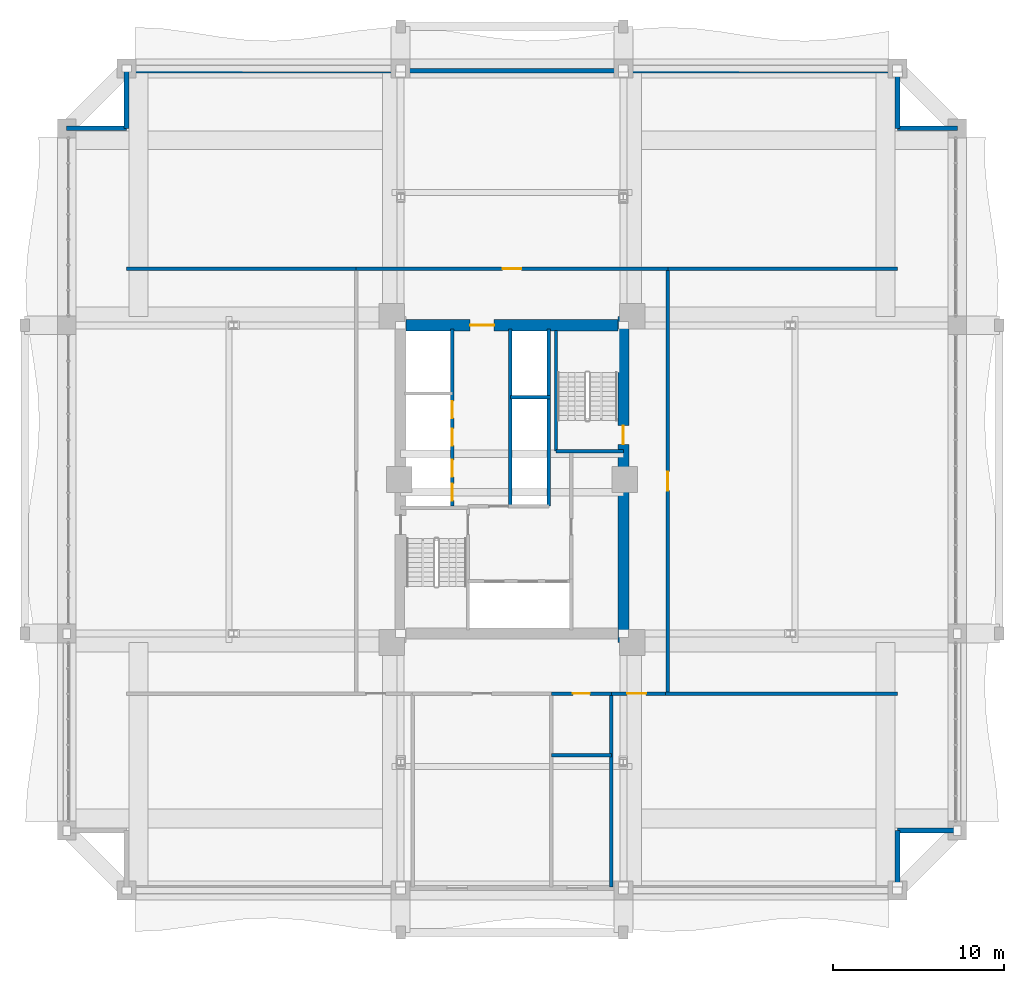
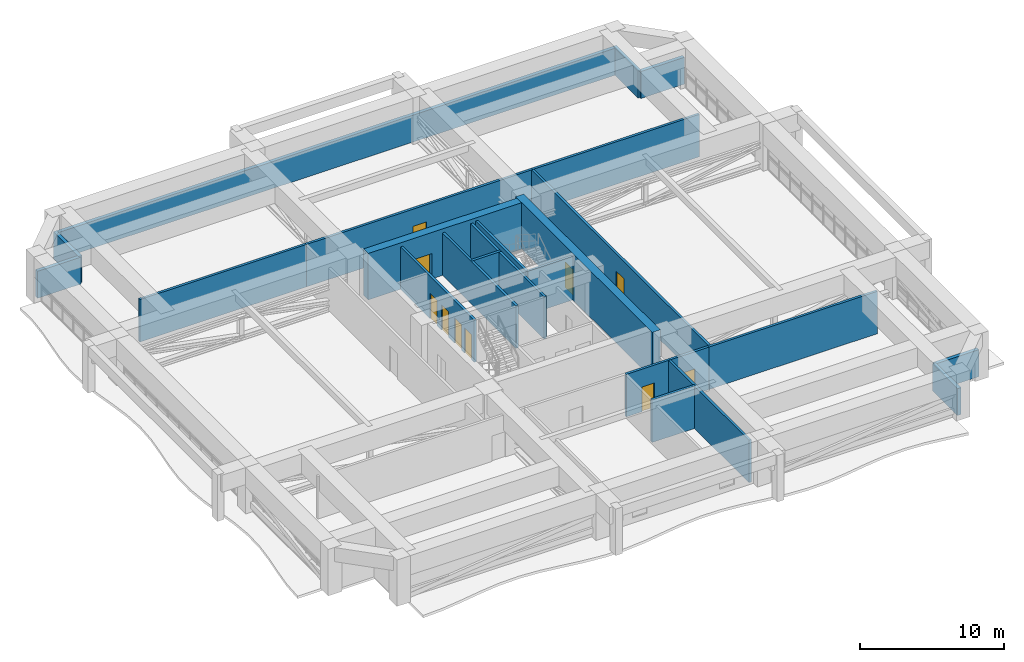
# One storey, part 29 of 35: 25 walls, 10 doors, 10 openings.
"""IFC4 building model written with IfcOpenShell, lengths in metres."""

from ifc_helpers import new_model, si_unit, direction, frame, frame_2d, origin, place, context, subcontext, project, spatial, rectangle, extrude, source, transform, mapped, material, layer, layer_set, type_object, element, fill, save


model = new_model("IFC4")

# Units and contexts
model_context = context("Model", 3, precision=1e-05, world=origin(), true_north=direction((0.0, 1.0)))
body_context = subcontext(model_context, "Body", "Model", "MODEL_VIEW")
ifc_project = project(units=[si_unit("LENGTHUNIT", "METRE"), si_unit("AREAUNIT", "SQUARE_METRE"), si_unit("VOLUMEUNIT", "CUBIC_METRE"), si_unit("PLANEANGLEUNIT", "RADIAN"), si_unit("MASSUNIT", "GRAM", prefix="KILO")], contexts=[model_context])

# Site, building, storey
site_placement = place(None, origin())
site = spatial("IfcSite", under=ifc_project, at=site_placement, CompositionType="ELEMENT")
building_placement = place(site_placement, origin())
building = spatial("IfcBuilding", under=site, at=building_placement, Name="Saelheon Loggia Tower", CompositionType="ELEMENT")
storey_placement = place(building_placement, frame((0.0, 0.0, 70.39990234375)))
storey = spatial("IfcBuildingStorey", under=building, at=storey_placement, Name="L22", CompositionType="ELEMENT", Elevation=70.39990234375)

# Wall, opening, door
ifc_material_1 = material(Name="Concrete C60/75", Category="concrete")
ifc_layer_1 = layer(ifc_material_1, 0.64990234375)
ifc_layer_set_1 = layer_set([ifc_layer_1], Name="Concrete C60/75")
wall_type_1 = type_object("IfcWallType", Name="Wall_CoreShear_650", PredefinedType="SHEAR", material=ifc_layer_set_1)
wall_1_placement = place(storey_placement, frame((44.5, 17.47998046875, 0.0), z_axis=(0.0, 0.0, 1.0), x_axis=(0.0, 1.0, 0.0)))
wall_1 = element("IfcWall", 1, at=wall_1_placement, inside=storey, type_object=wall_type_1, Name="L22 Core Shear Wall East", PredefinedType="SHEAR", context=body_context, shape_type="SweptSolid", body=[
    extrude(rectangle(XDim=19.0400390625, YDim=0.64990234375, at=frame_2d((9.52001953125, 0.0))), origin(), (0.0, 0.0, 1.0), 3.9501953125),
])
opening_1_placement = place(wall_1_placement, frame((12.670166015625, 0.0, 0.0), z_axis=(0.0, 0.0, 1.0), x_axis=(-1.0, 0.0, 0.0)))
opening_1 = element("IfcOpeningElement", 2, at=opening_1_placement, cuts=wall_1, Name="Opening D-FD2", PredefinedType="OPENING", context=body_context, shape_type="SweptSolid", body=[
    extrude(rectangle(XDim=1.10009765625, YDim=2.14990234375, at=frame_2d((0.550048828125, 1.074951171875))), frame((0.0, 0.3369140625, 0.0), z_axis=(0.0, -1.0, 0.0), x_axis=(1.0, 0.0, 0.0)), (0.0, 0.0, 1.0), 0.673828125),
])
ifc_material_2 = material(Name="Galvanised Steel Fire Door", Category="steel")
door_type_1 = type_object("IfcDoorType", Name="Door_Fire_FD60_1100", OperationType="NOTDEFINED", PredefinedType="DOOR", material=ifc_material_2)
shared_shape_1 = source(origin(), body_context, "Body", "SweptSolid", [
    extrude(rectangle(XDim=1.10009765625, YDim=2.14990234375, at=frame_2d((0.550048828125, 1.074951171875))), frame((0.0, 0.02490234375, 0.0), z_axis=(0.0, -1.0, 0.0), x_axis=(1.0, 0.0, 0.0)), (0.0, 0.0, 1.0), 0.050048828125),
])
door_1_placement = place(opening_1_placement, origin())
door_1 = element("IfcDoor", 3, at=door_1_placement, inside=storey, type_object=door_type_1, Name="L22 Stair ST2 Corridor Door", OperationType="SINGLE_SWING_RIGHT", OverallHeight=2.14990234375, OverallWidth=1.10009765625, PredefinedType="DOOR", context=body_context, shape_type="MappedRepresentation", body=[
    mapped(shared_shape_1, transform((0.0, 0.0, 0.0), scale=1.0)),
])
fill(opening_1, door_1)

wall_2_placement = place(storey_placement, frame((31.824951171875, 36.0, 0.0), z_axis=(0.0, 0.0, 1.0), x_axis=(1.0, 0.0, 0.0)))
wall_2 = element("IfcWall", 4, at=wall_2_placement, inside=storey, type_object=wall_type_1, Name="L22 Core Shear Wall North", PredefinedType="SHEAR", context=body_context, shape_type="SweptSolid", body=[
    extrude(rectangle(XDim=12.35009765625, YDim=0.64990234375, at=frame_2d((6.175048828125, 0.0))), origin(), (0.0, 0.0, 1.0), 3.9501953125),
])
opening_2_placement = place(wall_2_placement, frame((5.125, 0.0, 0.0), z_axis=(0.0, 0.0, 1.0), x_axis=(-1.0, 0.0, 0.0)))
opening_2 = element("IfcOpeningElement", 5, at=opening_2_placement, cuts=wall_2, Name="Opening D-FD2L", PredefinedType="OPENING", context=body_context, shape_type="SweptSolid", body=[
    extrude(rectangle(XDim=1.39990234375, YDim=2.14990234375, at=frame_2d((0.699951171875, 1.074951171875))), frame((0.0, 0.3369140625, 0.0), z_axis=(0.0, -1.0, 0.0), x_axis=(1.0, 0.0, 0.0)), (0.0, 0.0, 1.0), 0.673828125),
])
ifc_material_3 = material(Name="Galvanised Steel Glazed Lobby Fire Door", Category="steel")
door_type_2 = type_object("IfcDoorType", Name="Door_Fire_FD60_1400", OperationType="NOTDEFINED", PredefinedType="DOOR", material=ifc_material_3)
shared_shape_2 = source(origin(), body_context, "Body", "SweptSolid", [
    extrude(rectangle(XDim=1.39990234375, YDim=2.14990234375, at=frame_2d((0.699951171875, 1.074951171875))), frame((0.0, 0.02490234375, 0.0), z_axis=(0.0, -1.0, 0.0), x_axis=(1.0, 0.0, 0.0)), (0.0, 0.0, 1.0), 0.050048828125),
])
door_2_placement = place(opening_2_placement, origin())
door_2 = element("IfcDoor", 6, at=door_2_placement, inside=storey, type_object=door_type_2, Name="L22 Passenger Lift Lobby Main Door", OperationType="SINGLE_SWING_RIGHT", OverallHeight=2.14990234375, OverallWidth=1.39990234375, PredefinedType="DOOR", context=body_context, shape_type="MappedRepresentation", body=[
    mapped(shared_shape_2, transform((0.0, 0.0, 0.0), scale=1.0)),
])
fill(opening_2, door_2)

# Walls
ifc_material_4 = material(Name="Architectural Precast Concrete C40/50", Category="concrete")
ifc_layer_2 = layer(ifc_material_4, 0.280029296875)
ifc_layer_set_2 = layer_set([ifc_layer_2], Name="Architectural Precast Concrete C40/50")
wall_type_2 = type_object("IfcWallType", Name="Wall_Ext_Loggia_280", PredefinedType="SOLIDWALL", material=ifc_layer_set_2)
wall_3_placement = place(storey_placement, frame((15.5, 50.860107421875, 0.0), z_axis=(0.0, 0.0, 1.0), x_axis=(1.0, 0.0, 0.0)))
element("IfcWall", 7, at=wall_3_placement, inside=storey, type_object=wall_type_2, Name="L22 Refuge North Wall", PredefinedType="SOLIDWALL", context=body_context, shape_type="SweptSolid", body=[
    extrude(rectangle(XDim=45.0, YDim=0.280029296875, at=frame_2d((22.5, 0.0))), origin(), (0.0, 0.0, 1.0), 2.2900390625),
])
for number, where, z_axis, x_axis, name in (
    (8, (60.5, 3.0, 0.0), (0.0, 0.0, 1.0), (0.0, 1.0, 0.0), "L22 Notch Wall SE1"),
    (9, (60.5, 6.5, 0.0), (0.0, 0.0, 1.0), (1.0, 0.0, 0.0), "L22 Notch Wall SE2"),
    (10, (15.5, 47.5, 0.0), (0.0, 0.0, 1.0), (0.0, 1.0, 0.0), "L22 Notch Wall NW1"),
    (11, (12.0, 47.5, 0.0), (0.0, 0.0, 1.0), (1.0, 0.0, 0.0), "L22 Notch Wall NW2"),
    (12, (60.5, 47.5, 0.0), (0.0, 0.0, 1.0), (0.0, 1.0, 0.0), "L22 Notch Wall NE1"),
    (13, (60.5, 47.5, 0.0), (0.0, 0.0, 1.0), (1.0, 0.0, 0.0), "L22 Notch Wall NE2"),
):
    element("IfcWall", number, at=place(storey_placement, frame(where, z_axis=z_axis, x_axis=x_axis)), inside=storey, type_object=wall_type_2, Name=name, PredefinedType="SOLIDWALL", context=body_context, shape_type="SweptSolid", body=[
        extrude(rectangle(XDim=3.5, YDim=0.280029296875, at=frame_2d((1.75, 0.0))), origin(), (0.0, 0.0, 1.0), 2.2900390625),
    ])
ifc_material_5 = material(Name="Concrete C40/50", Category="concrete")
ifc_layer_3 = layer(ifc_material_5, 0.199951171875)
ifc_layer_set_3 = layer_set([ifc_layer_3], Name="Concrete C40/50")
wall_type_3 = type_object("IfcWallType", Name="Wall_Shaft_200", PredefinedType="PARTITIONING", material=ifc_layer_set_3)
wall_4_placement = place(storey_placement, frame((40.14990234375, 25.43994140625, 0.0), z_axis=(0.0, 0.0, 1.0), x_axis=(0.0, 1.0, 0.0)))
element("IfcWall", 14, at=wall_4_placement, inside=storey, type_object=wall_type_3, Name="L22 Core Service Passage West Wall", PredefinedType="PARTITIONING", context=body_context, shape_type="SweptSolid", body=[
    extrude(rectangle(XDim=6.360107421875, YDim=0.199951171875, at=frame_2d((3.18017578125, 0.0))), origin(), (0.0, 0.0, 1.0), 3.610107421875),
])
wall_5_placement = place(storey_placement, frame((40.14990234375, 31.800048828125, 0.0), z_axis=(0.0, 0.0, 1.0), x_axis=(0.0, 1.0, 0.0)))
element("IfcWall", 15, at=wall_5_placement, inside=storey, type_object=wall_type_3, Name="L22 East High-Rise Hoistway East Wall", PredefinedType="PARTITIONING", context=body_context, shape_type="SweptSolid", body=[
    extrude(rectangle(XDim=3.97998046875, YDim=0.199951171875, at=frame_2d((1.989990234375, 0.0))), origin(), (0.0, 0.0, 1.0), 3.610107421875),
])

# Wall, openings, doors
wall_6_placement = place(storey_placement, frame((34.52001953125, 25.43994140625, 0.0), z_axis=(0.0, 0.0, 1.0), x_axis=(0.0, 1.0, 0.0)))
wall_6 = element("IfcWall", 16, at=wall_6_placement, inside=storey, type_object=wall_type_3, Name="L22 West Passenger Lift Bank Wall", PredefinedType="PARTITIONING", context=body_context, shape_type="SweptSolid", body=[
    extrude(rectangle(XDim=10.340087890625, YDim=0.199951171875, at=frame_2d((5.169921875, 0.0))), origin(), (0.0, 0.0, 1.0), 3.610107421875),
])
opening_3_placement = place(wall_6_placement, frame((0.320068359375, 0.0, 0.0)))
opening_3 = element("IfcOpeningElement", 17, at=opening_3_placement, cuts=wall_6, Name="Opening LD1", PredefinedType="OPENING", context=body_context, shape_type="SweptSolid", body=[
    extrude(rectangle(XDim=1.0, YDim=2.14990234375, at=frame_2d((0.5, 1.074951171875))), frame((0.0, 0.112060546875, 0.0), z_axis=(0.0, -1.0, 0.0), x_axis=(1.0, 0.0, 0.0)), (0.0, 0.0, 1.0), 0.223876953125),
])
opening_4_placement = place(wall_6_placement, frame((1.7099609375, 0.0, 0.0)))
opening_4 = element("IfcOpeningElement", 18, at=opening_4_placement, cuts=wall_6, Name="Opening LD1", PredefinedType="OPENING", context=body_context, shape_type="SweptSolid", body=[
    extrude(rectangle(XDim=1.0, YDim=2.14990234375, at=frame_2d((0.5, 1.074951171875))), frame((0.0, 0.112060546875, 0.0), z_axis=(0.0, -1.0, 0.0), x_axis=(1.0, 0.0, 0.0)), (0.0, 0.0, 1.0), 0.223876953125),
])
opening_5_placement = place(wall_6_placement, frame((3.534912109375, 0.0, 0.0)))
opening_5 = element("IfcOpeningElement", 19, at=opening_5_placement, cuts=wall_6, Name="Opening LD1", PredefinedType="OPENING", context=body_context, shape_type="SweptSolid", body=[
    extrude(rectangle(XDim=1.0, YDim=2.14990234375, at=frame_2d((0.5, 1.074951171875))), frame((0.0, 0.112060546875, 0.0), z_axis=(0.0, -1.0, 0.0), x_axis=(1.0, 0.0, 0.0)), (0.0, 0.0, 1.0), 0.223876953125),
])
opening_6_placement = place(wall_6_placement, frame((5.135009765625, 0.0, 0.0)))
opening_6 = element("IfcOpeningElement", 20, at=opening_6_placement, cuts=wall_6, Name="Opening LD1", PredefinedType="OPENING", context=body_context, shape_type="SweptSolid", body=[
    extrude(rectangle(XDim=1.0, YDim=2.14990234375, at=frame_2d((0.5, 1.074951171875))), frame((0.0, 0.112060546875, 0.0), z_axis=(0.0, -1.0, 0.0), x_axis=(1.0, 0.0, 0.0)), (0.0, 0.0, 1.0), 0.223876953125),
])
ifc_material_6 = material(Name="Brushed Stainless Steel 304 Landing Door", Category="steel")
door_type_3 = type_object("IfcDoorType", Name="Door_Lift_LD1", OperationType="DOUBLE_DOOR_SLIDING", PredefinedType="DOOR", material=ifc_material_6)
shared_shape_3 = source(origin(), body_context, "Body", "SweptSolid", [
    extrude(rectangle(XDim=1.0, YDim=2.14990234375, at=frame_2d((0.5, 1.074951171875))), frame((0.0, 0.02490234375, 0.0), z_axis=(0.0, -1.0, 0.0), x_axis=(1.0, 0.0, 0.0)), (0.0, 0.0, 1.0), 0.050048828125),
])
door_3_placement = place(opening_3_placement, origin())
door_3 = element("IfcDoor", 21, at=door_3_placement, inside=storey, type_object=door_type_3, Name="L22 PL1 Landing Door", OperationType="DOUBLE_DOOR_SLIDING", OverallHeight=2.14990234375, OverallWidth=1.0, PredefinedType="DOOR", context=body_context, shape_type="MappedRepresentation", body=[
    mapped(shared_shape_3, transform((0.0, 0.0, 0.0), scale=1.0)),
])
fill(opening_3, door_3)
door_4_placement = place(opening_4_placement, origin())
door_4 = element("IfcDoor", 22, at=door_4_placement, inside=storey, type_object=door_type_3, Name="L22 PL2 Landing Door", OperationType="DOUBLE_DOOR_SLIDING", OverallHeight=2.14990234375, OverallWidth=1.0, PredefinedType="DOOR", context=body_context, shape_type="MappedRepresentation", body=[
    mapped(shared_shape_3, transform((0.0, 0.0, 0.0), scale=1.0)),
])
fill(opening_4, door_4)
door_5_placement = place(opening_5_placement, origin())
door_5 = element("IfcDoor", 23, at=door_5_placement, inside=storey, type_object=door_type_3, Name="L22 PL3 Landing Door", OperationType="DOUBLE_DOOR_SLIDING", OverallHeight=2.14990234375, OverallWidth=1.0, PredefinedType="DOOR", context=body_context, shape_type="MappedRepresentation", body=[
    mapped(shared_shape_3, transform((0.0, 0.0, 0.0), scale=1.0)),
])
fill(opening_5, door_5)
door_6_placement = place(opening_6_placement, origin())
door_6 = element("IfcDoor", 24, at=door_6_placement, inside=storey, type_object=door_type_3, Name="L22 PL4 Landing Door", OperationType="DOUBLE_DOOR_SLIDING", OverallHeight=2.14990234375, OverallWidth=1.0, PredefinedType="DOOR", context=body_context, shape_type="MappedRepresentation", body=[
    mapped(shared_shape_3, transform((0.0, 0.0, 0.0), scale=1.0)),
])
fill(opening_6, door_6)

# Walls
wall_7_placement = place(storey_placement, frame((37.89990234375, 25.43994140625, 0.0), z_axis=(0.0, 0.0, 1.0), x_axis=(0.0, 1.0, 0.0)))
element("IfcWall", 25, at=wall_7_placement, inside=storey, type_object=wall_type_3, Name="L22 East Passenger Lift Bank Wall", PredefinedType="PARTITIONING", context=body_context, shape_type="SweptSolid", body=[
    extrude(rectangle(XDim=10.340087890625, YDim=0.199951171875, at=frame_2d((5.169921875, 0.0))), origin(), (0.0, 0.0, 1.0), 3.610107421875),
])
wall_8_placement = place(storey_placement, frame((37.89990234375, 31.800048828125, 0.0), z_axis=(0.0, 0.0, 1.0), x_axis=(1.0, 0.0, 0.0)))
element("IfcWall", 26, at=wall_8_placement, inside=storey, type_object=wall_type_3, Name="L22 East High-Rise Shaft Divider", PredefinedType="PARTITIONING", context=body_context, shape_type="SweptSolid", body=[
    extrude(rectangle(XDim=2.35009765625, YDim=0.199951171875, at=frame_2d((1.175048828125, 0.0))), origin(), (0.0, 0.0, 1.0), 3.610107421875),
])

# Wall, opening, door
wall_9_placement = place(storey_placement, frame((40.300048828125, 14.5, 0.0), z_axis=(0.0, 0.0, 1.0), x_axis=(1.0, 0.0, 0.0)))
wall_9 = element("IfcWall", 27, at=wall_9_placement, inside=storey, type_object=wall_type_3, Name="PW-L22-RFG-SC2", PredefinedType="PARTITIONING", context=body_context, shape_type="SweptSolid", body=[
    extrude(rectangle(XDim=3.5, YDim=0.199951171875, at=frame_2d((1.75, 0.0))), origin(), (0.0, 0.0, 1.0), 3.610107421875),
])
opening_7_placement = place(wall_9_placement, frame((1.25, 0.0, 0.0)))
opening_7 = element("IfcOpeningElement", 28, at=opening_7_placement, cuts=wall_9, Name="Opening D-AC1", PredefinedType="OPENING", context=body_context, shape_type="SweptSolid", body=[
    extrude(rectangle(XDim=1.0, YDim=2.10009765625, at=frame_2d((0.5, 1.050048828125))), frame((0.0, 0.112060546875, 0.0), z_axis=(0.0, -1.0, 0.0), x_axis=(1.0, 0.0, 0.0)), (0.0, 0.0, 1.0), 0.223876953125),
])
ifc_material_7 = material(Name="Accessible Laminate Flush Door", Category="timber")
door_type_4 = type_object("IfcDoorType", Name="Door_Acc_1000", OperationType="NOTDEFINED", PredefinedType="DOOR", material=ifc_material_7)
shared_shape_4 = source(origin(), body_context, "Body", "SweptSolid", [
    extrude(rectangle(XDim=1.0, YDim=2.10009765625, at=frame_2d((0.5, 1.050048828125))), frame((0.0, 0.02490234375, 0.0), z_axis=(0.0, -1.0, 0.0), x_axis=(1.0, 0.0, 0.0)), (0.0, 0.0, 1.0), 0.050048828125),
])
door_7_placement = place(opening_7_placement, origin())
door_7 = element("IfcDoor", 29, at=door_7_placement, inside=storey, type_object=door_type_4, Name="L22 Refuge Accessible WC Door", OperationType="SINGLE_SWING_RIGHT", OverallHeight=2.10009765625, OverallWidth=1.0, PredefinedType="DOOR", context=body_context, shape_type="MappedRepresentation", body=[
    mapped(shared_shape_4, transform((0.0, 0.0, 0.0), scale=1.0)),
])
fill(opening_7, door_7)

wall_10_placement = place(storey_placement, frame((43.800048828125, 14.5, 0.0), z_axis=(0.0, 0.0, 1.0), x_axis=(1.0, 0.0, 0.0)))
wall_10 = element("IfcWall", 30, at=wall_10_placement, inside=storey, type_object=wall_type_3, Name="PW-L22-RFG-SE1", PredefinedType="PARTITIONING", context=body_context, shape_type="SweptSolid", body=[
    extrude(rectangle(XDim=3.14990234375, YDim=0.199951171875, at=frame_2d((1.574951171875, 0.0))), origin(), (0.0, 0.0, 1.0), 3.610107421875),
])
opening_8_placement = place(wall_10_placement, frame((0.927978515625, 0.0, 0.0)))
opening_8 = element("IfcOpeningElement", 31, at=opening_8_placement, cuts=wall_10, Name="Opening D-FD2", PredefinedType="OPENING", context=body_context, shape_type="SweptSolid", body=[
    extrude(rectangle(XDim=1.10009765625, YDim=2.14990234375, at=frame_2d((0.550048828125, 1.074951171875))), frame((0.0, 0.112060546875, 0.0), z_axis=(0.0, -1.0, 0.0), x_axis=(1.0, 0.0, 0.0)), (0.0, 0.0, 1.0), 0.223876953125),
])
door_8_placement = place(opening_8_placement, origin())
door_8 = element("IfcDoor", 32, at=door_8_placement, inside=storey, type_object=door_type_1, Name="L22 Plant Bay SE Door", OperationType="SINGLE_SWING_LEFT", OverallHeight=2.14990234375, OverallWidth=1.10009765625, PredefinedType="DOOR", context=body_context, shape_type="MappedRepresentation", body=[
    mapped(shared_shape_1, transform((0.0, 0.0, 0.0), scale=1.0)),
])
fill(opening_8, door_8)

# Walls
wall_11_placement = place(storey_placement, frame((46.949951171875, 14.5, 0.0), z_axis=(0.0, 0.0, 1.0), x_axis=(1.0, 0.0, 0.0)))
element("IfcWall", 33, at=wall_11_placement, inside=storey, type_object=wall_type_3, Name="PW-L22-RFG-SE2", PredefinedType="PARTITIONING", context=body_context, shape_type="SweptSolid", body=[
    extrude(rectangle(XDim=13.550048828125, YDim=0.199951171875, at=frame_2d((6.77490234375, 0.0))), origin(), (0.0, 0.0, 1.0), 3.610107421875),
])
wall_12_placement = place(storey_placement, frame((43.800048828125, 3.199951171875, 0.0), z_axis=(0.0, 0.0, 1.0), x_axis=(0.0, 1.0, 0.0)))
element("IfcWall", 34, at=wall_12_placement, inside=storey, type_object=wall_type_3, Name="PW-L22-RFG-VR", PredefinedType="PARTITIONING", context=body_context, shape_type="SweptSolid", body=[
    extrude(rectangle(XDim=11.300048828125, YDim=0.199951171875, at=frame_2d((5.64990234375, 0.0))), origin(), (0.0, 0.0, 1.0), 3.610107421875),
])
wall_13_placement = place(storey_placement, frame((40.300048828125, 10.89990234375, 0.0), z_axis=(0.0, 0.0, 1.0), x_axis=(1.0, 0.0, 0.0)))
element("IfcWall", 35, at=wall_13_placement, inside=storey, type_object=wall_type_3, Name="PW-L22-RFG-WCS", PredefinedType="PARTITIONING", context=body_context, shape_type="SweptSolid", body=[
    extrude(rectangle(XDim=3.5, YDim=0.199951171875, at=frame_2d((1.75, 0.0))), origin(), (0.0, 0.0, 1.0), 3.610107421875),
])
wall_14_placement = place(storey_placement, frame((15.5, 39.300048828125, 0.0), z_axis=(0.0, 0.0, 1.0), x_axis=(1.0, 0.0, 0.0)))
element("IfcWall", 36, at=wall_14_placement, inside=storey, type_object=wall_type_3, Name="PW-L22-PMP-NW", PredefinedType="PARTITIONING", context=body_context, shape_type="SweptSolid", body=[
    extrude(rectangle(XDim=13.39990234375, YDim=0.199951171875, at=frame_2d((6.699951171875, 0.0))), origin(), (0.0, 0.0, 1.0), 3.610107421875),
])

# Wall, opening, door
wall_15_placement = place(storey_placement, frame((28.89990234375, 39.300048828125, 0.0), z_axis=(0.0, 0.0, 1.0), x_axis=(1.0, 0.0, 0.0)))
wall_15 = element("IfcWall", 37, at=wall_15_placement, inside=storey, type_object=wall_type_3, Name="PW-L22-PMP-NC", PredefinedType="PARTITIONING", context=body_context, shape_type="SweptSolid", body=[
    extrude(rectangle(XDim=18.2001953125, YDim=0.199951171875, at=frame_2d((9.10009765625, 0.0))), origin(), (0.0, 0.0, 1.0), 3.610107421875),
])
opening_9_placement = place(wall_15_placement, frame((8.550048828125, 0.0, 0.0)))
opening_9 = element("IfcOpeningElement", 38, at=opening_9_placement, cuts=wall_15, Name="Opening D-FD2", PredefinedType="OPENING", context=body_context, shape_type="SweptSolid", body=[
    extrude(rectangle(XDim=1.10009765625, YDim=2.14990234375, at=frame_2d((0.550048828125, 1.074951171875))), frame((0.0, 0.112060546875, 0.0), z_axis=(0.0, -1.0, 0.0), x_axis=(1.0, 0.0, 0.0)), (0.0, 0.0, 1.0), 0.223876953125),
])
door_9_placement = place(opening_9_placement, origin())
door_9 = element("IfcDoor", 39, at=door_9_placement, inside=storey, type_object=door_type_1, Name="L22 Booster Pump Room Door", OperationType="SINGLE_SWING_RIGHT", OverallHeight=2.14990234375, OverallWidth=1.10009765625, PredefinedType="DOOR", context=body_context, shape_type="MappedRepresentation", body=[
    mapped(shared_shape_1, transform((0.0, 0.0, 0.0), scale=1.0)),
])
fill(opening_9, door_9)

# Wall
wall_16_placement = place(storey_placement, frame((47.10009765625, 39.300048828125, 0.0), z_axis=(0.0, 0.0, 1.0), x_axis=(1.0, 0.0, 0.0)))
element("IfcWall", 40, at=wall_16_placement, inside=storey, type_object=wall_type_3, Name="PW-L22-PMP-NE", PredefinedType="PARTITIONING", context=body_context, shape_type="SweptSolid", body=[
    extrude(rectangle(XDim=13.39990234375, YDim=0.199951171875, at=frame_2d((6.699951171875, 0.0))), origin(), (0.0, 0.0, 1.0), 3.610107421875),
])

# Wall, opening, door
wall_17_placement = place(storey_placement, frame((47.10009765625, 14.5, 0.0), z_axis=(0.0, 0.0, 1.0), x_axis=(0.0, 1.0, 0.0)))
wall_17 = element("IfcWall", 41, at=wall_17_placement, inside=storey, type_object=wall_type_3, Name="PW-L22-ELC-E", PredefinedType="PARTITIONING", context=body_context, shape_type="SweptSolid", body=[
    extrude(rectangle(XDim=24.800048828125, YDim=0.199951171875, at=frame_2d((12.39990234375, 0.0))), origin(), (0.0, 0.0, 1.0), 3.610107421875),
])
opening_10_placement = place(wall_17_placement, frame((11.85009765625, 0.0, 0.0)))
opening_10 = element("IfcOpeningElement", 42, at=opening_10_placement, cuts=wall_17, Name="Opening D-FD2", PredefinedType="OPENING", context=body_context, shape_type="SweptSolid", body=[
    extrude(rectangle(XDim=1.10009765625, YDim=2.14990234375, at=frame_2d((0.550048828125, 1.074951171875))), frame((0.0, 0.112060546875, 0.0), z_axis=(0.0, -1.0, 0.0), x_axis=(1.0, 0.0, 0.0)), (0.0, 0.0, 1.0), 0.223876953125),
])
door_10_placement = place(opening_10_placement, origin())
door_10 = element("IfcDoor", 43, at=door_10_placement, inside=storey, type_object=door_type_1, Name="L22 Electrical Plant Room Door", OperationType="SINGLE_SWING_RIGHT", OverallHeight=2.14990234375, OverallWidth=1.10009765625, PredefinedType="DOOR", context=body_context, shape_type="MappedRepresentation", body=[
    mapped(shared_shape_1, transform((0.0, 0.0, 0.0), scale=1.0)),
])
fill(opening_10, door_10)

# Walls
ifc_material_8 = material(Name="Concrete C45/55", Category="concrete")
ifc_layer_4 = layer(ifc_material_8, 0.199951171875)
ifc_layer_set_4 = layer_set([ifc_layer_4], Name="Concrete C45/55")
wall_type_4 = type_object("IfcWallType", Name="Wall_StairShaft_RC200", PredefinedType="SOLIDWALL", material=ifc_layer_set_4)
wall_18_placement = place(storey_placement, frame((40.570068359375, 28.64990234375, 0.0), z_axis=(0.0, 0.0, 1.0), x_axis=(0.0, 1.0, 0.0)))
element("IfcWall", 44, at=wall_18_placement, inside=storey, type_object=wall_type_4, Name="L22 Stair ST2 Shaft Wall", PredefinedType="SOLIDWALL", context=body_context, shape_type="SweptSolid", body=[
    extrude(rectangle(XDim=7.050048828125, YDim=0.199951171875, at=frame_2d((3.52490234375, 0.0))), origin(), (0.0, 0.0, 1.0), 3.690185546875),
])
wall_19_placement = place(storey_placement, frame((40.570068359375, 28.64990234375, 0.0), z_axis=(0.0, 0.0, 1.0), x_axis=(1.0, 0.0, 0.0)))
element("IfcWall", 45, at=wall_19_placement, inside=storey, type_object=wall_type_4, Name="L22 Stair ST2 South Wall", PredefinedType="SOLIDWALL", context=body_context, shape_type="SweptSolid", body=[
    extrude(rectangle(XDim=3.929931640625, YDim=0.199951171875, at=frame_2d((1.96484375, 0.0))), origin(), (0.0, 0.0, 1.0), 3.690185546875),
])

save(model, "model.ifc")
